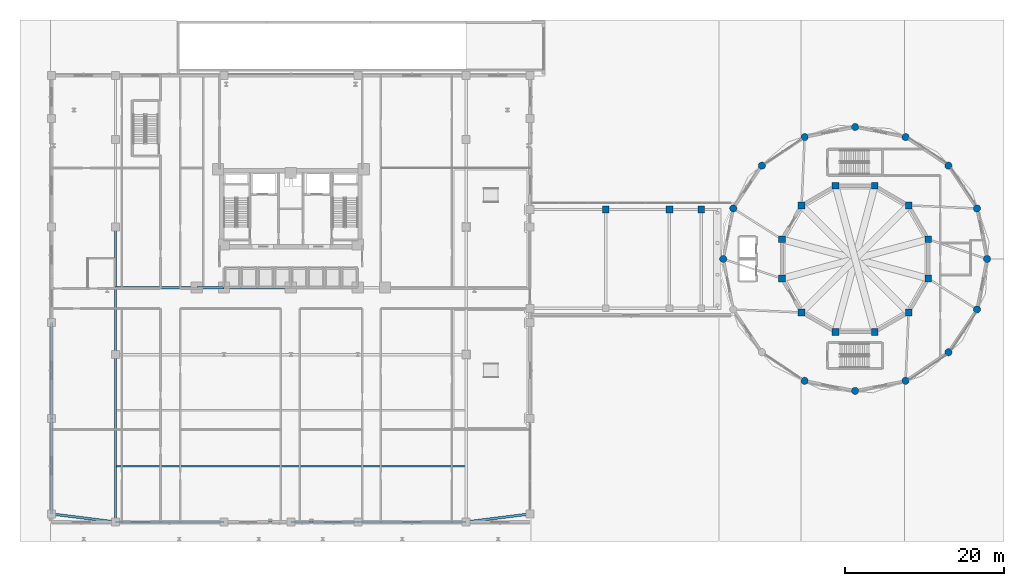
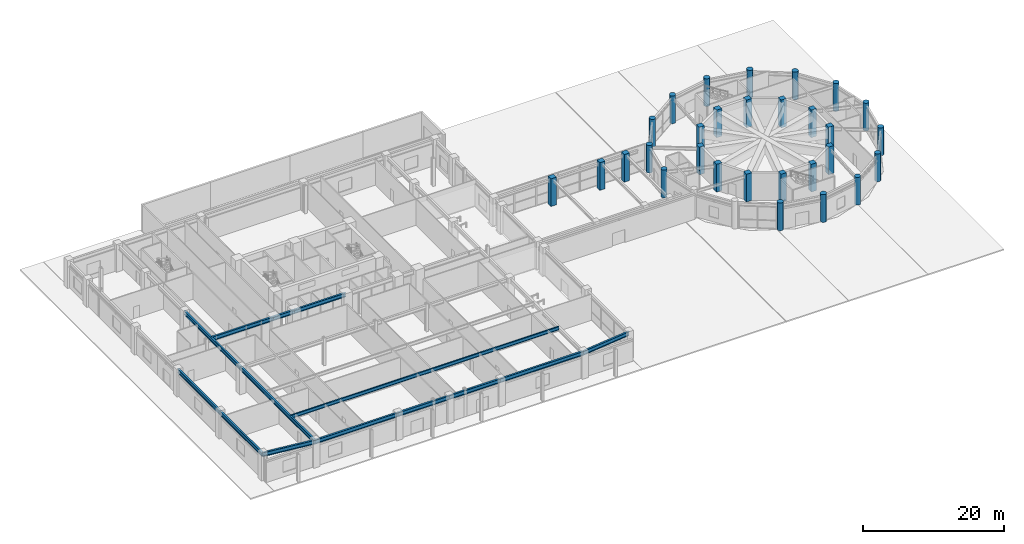
# One storey, part 4 of 40: 29 columns, 14 beams.
"""IFC4 building model written with IfcOpenShell, lengths in metres."""

from ifc_helpers import new_model, si_unit, derived_unit, direction, frame, origin, origin_2d, place, context, subcontext, project, spatial, rectangle, circle, i_section, extrude, source, transform, mapped, material, material_profile, profile_set, type_object, element, save


model = new_model("IFC4")

# Units and contexts
model_context = context("Model", 3, precision=1e-05, world=origin(), true_north=direction((0.0, 1.0)))
body_context = subcontext(model_context, "Body", "Model", "MODEL_VIEW")
ifc_project = project(units=[si_unit("LENGTHUNIT", "METRE"), si_unit("AREAUNIT", "SQUARE_METRE"), si_unit("VOLUMEUNIT", "CUBIC_METRE"), si_unit("PLANEANGLEUNIT", "RADIAN"), si_unit("MASSUNIT", "GRAM", prefix="KILO"), derived_unit("THERMALTRANSMITTANCEUNIT", [(si_unit("POWERUNIT", "WATT"), 1), (si_unit("LENGTHUNIT", "METRE"), -2), (si_unit("THERMODYNAMICTEMPERATUREUNIT", "KELVIN"), -1)])], contexts=[model_context])

# Site, building, storey
site_placement = place(None, origin())
site = spatial("IfcSite", under=ifc_project, at=site_placement, CompositionType="ELEMENT")
building_placement = place(site_placement, origin())
building = spatial("IfcBuilding", under=site, at=building_placement, Name="Korsvarv Bourse and Concert Hall", CompositionType="ELEMENT")
storey_placement = place(building_placement, origin())
storey = spatial("IfcBuildingStorey", under=building, at=storey_placement, Name="L00", CompositionType="ELEMENT", Elevation=0.0)

# Columns
ifc_material_1 = material(Name="Concrete C50/60", Category="concrete")
ifc_material_profile_1 = material_profile(ifc_material_1, rectangle(XDim=0.85009765625, YDim=0.85009765625, at=origin_2d()), Name="RC 850x850")
ifc_profile_set_1 = profile_set([ifc_material_profile_1], Name="Concrete C50/60")
column_type_1 = type_object("IfcColumnType", Name="COL-RC850", PredefinedType="COLUMN", material=ifc_profile_set_1)
shared_shape_1 = source(origin(), body_context, "Body", "SweptSolid", [
    extrude(rectangle(XDim=0.85009765625, YDim=0.85009765625, at=origin_2d()), origin(), (0.0, 0.0, 1.0), 4.800048828125),
])
for number, where, z_axis, x_axis, name in (
    (1, (75.5, 42.199951171875, 0.0), (0.0, 0.0, 1.0), (1.0, 0.0, 0.0), "L00 column C-04"),
    (2, (83.5, 42.199951171875, 0.0), (0.0, 0.0, 1.0), (1.0, 0.0, 0.0), "L00 column C-04"),
    (3, (87.5, 42.199951171875, 0.0), (0.0, 0.0, 1.0), (1.0, 0.0, 0.0), "L00 column C-04"),
    (4, (115.976318359375, 38.458740234375, 0.0), (0.0, 0.0, 1.0), (1.0, 0.0, 0.0), "L00 column C-04"),
    (5, (113.517578125, 42.717529296875, 0.0), (0.0, 0.0, 1.0), (1.0, 0.0, 0.0), "L00 column C-04"),
    (6, (109.2587890625, 45.17626953125, 0.0), (0.0, 0.0, 1.0), (1.0, 0.0, 0.0), "L00 column C-04"),
    (7, (104.34130859375, 45.17626953125, 0.0), (0.0, 0.0, 1.0), (1.0, 0.0, 0.0), "L00 column C-04"),
    (8, (100.08251953125, 42.717529296875, 0.0), (0.0, 0.0, 1.0), (1.0, 0.0, 0.0), "L00 column C-04"),
    (9, (97.623779296875, 38.458740234375, 0.0), (0.0, 0.0, 1.0), (1.0, 0.0, 0.0), "L00 column C-04"),
    (10, (97.623779296875, 33.541259765625, 0.0), (0.0, 0.0, 1.0), (1.0, 0.0, 0.0), "L00 column C-04"),
    (11, (100.08251953125, 29.282470703125, 0.0), (0.0, 0.0, 1.0), (1.0, 0.0, 0.0), "L00 column C-04"),
    (12, (104.34130859375, 26.82373046875, 0.0), (0.0, 0.0, 1.0), (1.0, 0.0, 0.0), "L00 column C-04"),
    (13, (109.2587890625, 26.82373046875, 0.0), (0.0, 0.0, 1.0), (1.0, 0.0, 0.0), "L00 column C-04"),
    (14, (113.517578125, 29.282470703125, 0.0), (0.0, 0.0, 1.0), (1.0, 0.0, 0.0), "L00 column C-04"),
    (15, (115.976318359375, 33.541259765625, 0.0), (0.0, 0.0, 1.0), (1.0, 0.0, 0.0), "L00 column C-04"),
):
    element("IfcColumn", number, at=place(storey_placement, frame(where, z_axis=z_axis, x_axis=x_axis)), inside=storey, type_object=column_type_1, Name=name, PredefinedType="COLUMN", context=body_context, shape_type="MappedRepresentation", body=[
        mapped(shared_shape_1, transform((0.0, 0.0, 0.0), scale=1.0)),
    ])
ifc_material_profile_2 = material_profile(ifc_material_1, circle(Radius=0.449951171875, at=origin_2d()), Name="RC-D900")
ifc_profile_set_2 = profile_set([ifc_material_profile_2], Name="Concrete C50/60")
column_type_2 = type_object("IfcColumnType", Name="COL-RCD900", PredefinedType="COLUMN", material=ifc_profile_set_2)
shared_shape_2 = source(origin(), body_context, "Body", "SweptSolid", [
    extrude(circle(Radius=0.449951171875, at=origin_2d()), origin(), (0.0, 0.0, 1.0), 4.800048828125),
])
for number, where, z_axis, x_axis, name in (
    (16, (123.35009765625, 36.0, 0.0), (0.0, 0.0, 1.0), (1.0, 0.0, 0.0), "L00 column C-06"),
    (17, (122.090087890625, 42.33349609375, 0.0), (0.0, 0.0, 1.0), (1.0, 0.0, 0.0), "L00 column C-06"),
    (18, (118.502685546875, 47.70263671875, 0.0), (0.0, 0.0, 1.0), (1.0, 0.0, 0.0), "L00 column C-06"),
    (19, (113.13330078125, 51.290283203125, 0.0), (0.0, 0.0, 1.0), (1.0, 0.0, 0.0), "L00 column C-06"),
    (20, (106.800048828125, 52.550048828125, 0.0), (0.0, 0.0, 1.0), (1.0, 0.0, 0.0), "L00 column C-06"),
    (21, (100.466552734375, 51.290283203125, 0.0), (0.0, 0.0, 1.0), (1.0, 0.0, 0.0), "L00 column C-06"),
    (22, (95.097412109375, 47.70263671875, 0.0), (0.0, 0.0, 1.0), (1.0, 0.0, 0.0), "L00 column C-06"),
    (23, (91.509765625, 42.33349609375, 0.0), (0.0, 0.0, 1.0), (1.0, 0.0, 0.0), "L00 column C-06"),
    (24, (90.25, 36.0, 0.0), (0.0, 0.0, 1.0), (1.0, 0.0, 0.0), "L00 column C-06"),
    (25, (100.466552734375, 20.709716796875, 0.0), (0.0, 0.0, 1.0), (1.0, 0.0, 0.0), "L00 column C-06"),
    (26, (106.800048828125, 19.449951171875, 0.0), (0.0, 0.0, 1.0), (1.0, 0.0, 0.0), "L00 column C-06"),
    (27, (113.13330078125, 20.709716796875, 0.0), (0.0, 0.0, 1.0), (1.0, 0.0, 0.0), "L00 column C-06"),
    (28, (118.502685546875, 24.29736328125, 0.0), (0.0, 0.0, 1.0), (1.0, 0.0, 0.0), "L00 column C-06"),
    (29, (122.090087890625, 29.66650390625, 0.0), (0.0, 0.0, 1.0), (1.0, 0.0, 0.0), "L00 column C-06"),
):
    element("IfcColumn", number, at=place(storey_placement, frame(where, z_axis=z_axis, x_axis=x_axis)), inside=storey, type_object=column_type_2, Name=name, PredefinedType="COLUMN", context=body_context, shape_type="MappedRepresentation", body=[
        mapped(shared_shape_2, transform((0.0, 0.0, 0.0), scale=1.0)),
    ])

# Beams
ifc_material_2 = material(Name="Steel S355", Category="steel")
ifc_material_profile_3 = material_profile(ifc_material_2, i_section(OverallWidth=0.300048828125, OverallDepth=0.699951171875, WebThickness=0.01708984375, FlangeThickness=0.031982421875, FilletRadius=0.027099609375, at=origin_2d()), Name="HEB 700")
ifc_profile_set_3 = profile_set([ifc_material_profile_3], Name="Steel S355")
beam_type_1 = type_object("IfcBeamType", Name="BM-HEB700", PredefinedType="BEAM", material=ifc_profile_set_3)
shared_shape_3 = source(origin(), body_context, "Body", "SweptSolid", [
    extrude(i_section(OverallWidth=0.300048828125, OverallDepth=0.699951171875, WebThickness=0.01708984375, FlangeThickness=0.031982421875, FilletRadius=0.027099609375, at=origin_2d()), origin(), (0.0, 0.0, 1.0), 12.0),
])
for number, where, z_axis, x_axis, name in (
    (30, (6.0, 4.0, 4.169921875), (0.0, 1.0, 0.0), (-1.0, 0.0, 0.0), "L00 beam B-03"),
    (31, (6.0, 16.0, 4.169921875), (0.0, 1.0, 0.0), (-1.0, 0.0, 0.0), "L00 beam B-03"),
):
    element("IfcBeam", number, at=place(storey_placement, frame(where, z_axis=z_axis, x_axis=x_axis)), inside=storey, type_object=beam_type_1, Name=name, PredefinedType="BEAM", context=body_context, shape_type="MappedRepresentation", body=[
        mapped(shared_shape_3, transform((0.0, 0.0, 0.0), scale=1.0)),
    ])
shared_shape_4 = source(origin(), body_context, "Body", "SweptSolid", [
    extrude(i_section(OverallWidth=0.300048828125, OverallDepth=0.699951171875, WebThickness=0.01708984375, FlangeThickness=0.031982421875, FilletRadius=0.027099609375, at=origin_2d()), origin(), (0.0, 0.0, 1.0), 13.60009765625),
])
for number, where, z_axis, x_axis, name in (
    (32, (14.0, 3.0, 4.169921875), (1.0, 0.0, 0.0), (0.0, 1.0, 0.0), "L00 beam B-03"),
    (33, (44.39990234375, 3.0, 4.169921875), (1.0, 0.0, 0.0), (0.0, 1.0, 0.0), "L00 beam B-03"),
):
    element("IfcBeam", number, at=place(storey_placement, frame(where, z_axis=z_axis, x_axis=x_axis)), inside=storey, type_object=beam_type_1, Name=name, PredefinedType="BEAM", context=body_context, shape_type="MappedRepresentation", body=[
        mapped(shared_shape_4, transform((0.0, 0.0, 0.0), scale=1.0)),
    ])
shared_shape_5 = source(origin(), body_context, "Body", "SweptSolid", [
    extrude(i_section(OverallWidth=0.300048828125, OverallDepth=0.699951171875, WebThickness=0.01708984375, FlangeThickness=0.031982421875, FilletRadius=0.027099609375, at=origin_2d()), origin(), (0.0, 0.0, 1.0), 8.062255859375),
])
for number, where, z_axis, x_axis, name in (
    (34, (6.0, 4.0, 4.169921875), (0.992277876714, -0.124034734589, 0.0), (0.124034734589, 0.992277876714, 0.0), "L00 beam B-03"),
    (35, (58.0, 3.0, 4.169921875), (0.992277876714, 0.124034734589, 0.0), (-0.124034734589, 0.992277876714, 0.0), "L00 beam B-03"),
):
    element("IfcBeam", number, at=place(storey_placement, frame(where, z_axis=z_axis, x_axis=x_axis)), inside=storey, type_object=beam_type_1, Name=name, PredefinedType="BEAM", context=body_context, shape_type="MappedRepresentation", body=[
        mapped(shared_shape_5, transform((0.0, 0.0, 0.0), scale=1.0)),
    ])
shared_shape_6 = source(origin(), body_context, "Body", "SweptSolid", [
    extrude(i_section(OverallWidth=0.300048828125, OverallDepth=0.699951171875, WebThickness=0.01708984375, FlangeThickness=0.031982421875, FilletRadius=0.027099609375, at=origin_2d()), origin(), (0.0, 0.0, 1.0), 8.39990234375),
])
for number, where, z_axis, x_axis, name in (
    (36, (27.60009765625, 3.0, 4.169921875), (1.0, 0.0, 0.0), (0.0, 1.0, 0.0), "L00 beam B-03"),
    (37, (36.0, 3.0, 4.169921875), (1.0, 0.0, 0.0), (0.0, 1.0, 0.0), "L00 beam B-03"),
    (38, (27.60009765625, 32.39990234375, 4.169921875), (1.0, 0.0, 0.0), (0.0, 1.0, 0.0), "L00 beam B-03"),
):
    element("IfcBeam", number, at=place(storey_placement, frame(where, z_axis=z_axis, x_axis=x_axis)), inside=storey, type_object=beam_type_1, Name=name, PredefinedType="BEAM", context=body_context, shape_type="MappedRepresentation", body=[
        mapped(shared_shape_6, transform((0.0, 0.0, 0.0), scale=1.0)),
    ])
shared_shape_7 = source(origin(), body_context, "Body", "SweptSolid", [
    extrude(i_section(OverallWidth=0.300048828125, OverallDepth=0.699951171875, WebThickness=0.01708984375, FlangeThickness=0.031982421875, FilletRadius=0.027099609375, at=origin_2d()), origin(), (0.0, 0.0, 1.0), 21.0),
])
beam_1_placement = place(storey_placement, frame((14.0, 3.0, 4.169921875), z_axis=(0.0, 1.0, 0.0), x_axis=(-1.0, 0.0, 0.0)))
element("IfcBeam", 39, at=beam_1_placement, inside=storey, type_object=beam_type_1, Name="L00 beam B-03", PredefinedType="BEAM", context=body_context, shape_type="MappedRepresentation", body=[
    mapped(shared_shape_7, transform((0.0, 0.0, 0.0), scale=1.0)),
])
shared_shape_8 = source(origin(), body_context, "Body", "SweptSolid", [
    extrude(i_section(OverallWidth=0.300048828125, OverallDepth=0.699951171875, WebThickness=0.01708984375, FlangeThickness=0.031982421875, FilletRadius=0.027099609375, at=origin_2d()), origin(), (0.0, 0.0, 1.0), 16.0),
])
beam_2_placement = place(storey_placement, frame((14.0, 24.0, 4.169921875), z_axis=(0.0, 1.0, 0.0), x_axis=(-1.0, 0.0, 0.0)))
element("IfcBeam", 40, at=beam_2_placement, inside=storey, type_object=beam_type_1, Name="L00 beam B-03", PredefinedType="BEAM", context=body_context, shape_type="MappedRepresentation", body=[
    mapped(shared_shape_8, transform((0.0, 0.0, 0.0), scale=1.0)),
])
shared_shape_9 = source(origin(), body_context, "Body", "SweptSolid", [
    extrude(i_section(OverallWidth=0.300048828125, OverallDepth=0.699951171875, WebThickness=0.01708984375, FlangeThickness=0.031982421875, FilletRadius=0.027099609375, at=origin_2d()), origin(), (0.0, 0.0, 1.0), 10.199951171875),
])
beam_3_placement = place(storey_placement, frame((14.0, 32.39990234375, 4.169921875), z_axis=(1.0, 0.0, 0.0), x_axis=(0.0, 1.0, 0.0)))
element("IfcBeam", 41, at=beam_3_placement, inside=storey, type_object=beam_type_1, Name="L00 beam B-03", PredefinedType="BEAM", context=body_context, shape_type="MappedRepresentation", body=[
    mapped(shared_shape_9, transform((0.0, 0.0, 0.0), scale=1.0)),
])
shared_shape_10 = source(origin(), body_context, "Body", "SweptSolid", [
    extrude(i_section(OverallWidth=0.300048828125, OverallDepth=0.699951171875, WebThickness=0.01708984375, FlangeThickness=0.031982421875, FilletRadius=0.027099609375, at=origin_2d()), origin(), (0.0, 0.0, 1.0), 3.400146484375),
])
beam_4_placement = place(storey_placement, frame((24.199951171875, 32.39990234375, 4.169921875), z_axis=(1.0, 0.0, 0.0), x_axis=(0.0, 1.0, 0.0)))
element("IfcBeam", 42, at=beam_4_placement, inside=storey, type_object=beam_type_1, Name="L00 beam B-03", PredefinedType="BEAM", context=body_context, shape_type="MappedRepresentation", body=[
    mapped(shared_shape_10, transform((0.0, 0.0, 0.0), scale=1.0)),
])
ifc_material_profile_4 = material_profile(ifc_material_2, i_section(OverallWidth=0.219970703125, OverallDepth=0.60009765625, WebThickness=0.011962890625, FlangeThickness=0.01904296875, FilletRadius=0.02392578125, at=origin_2d()), Name="IPE 600")
ifc_profile_set_4 = profile_set([ifc_material_profile_4], Name="Steel S355")
beam_type_2 = type_object("IfcBeamType", Name="BM-IPE600", PredefinedType="JOIST", material=ifc_profile_set_4)
shared_shape_11 = source(origin(), body_context, "Body", "SweptSolid", [
    extrude(i_section(OverallWidth=0.219970703125, OverallDepth=0.60009765625, WebThickness=0.011962890625, FlangeThickness=0.01904296875, FilletRadius=0.02392578125, at=origin_2d()), origin(), (0.0, 0.0, 1.0), 44.0),
])
beam_5_placement = place(storey_placement, frame((14.0, 10.0, 4.219970703125), z_axis=(1.0, 0.0, 0.0), x_axis=(0.0, 1.0, 0.0)))
element("IfcBeam", 43, at=beam_5_placement, inside=storey, type_object=beam_type_2, Name="L00 beam J-01", PredefinedType="JOIST", context=body_context, shape_type="MappedRepresentation", body=[
    mapped(shared_shape_11, transform((0.0, 0.0, 0.0), scale=1.0)),
])

save(model, "model.ifc")
